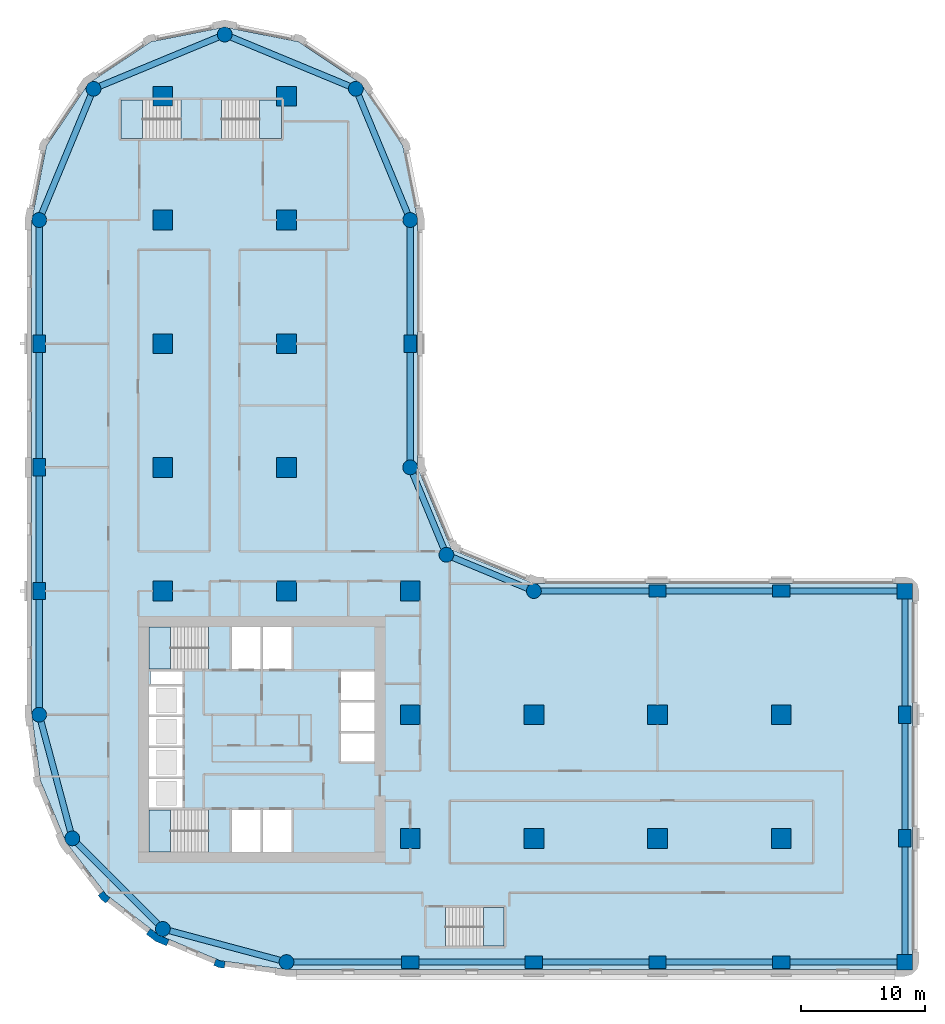
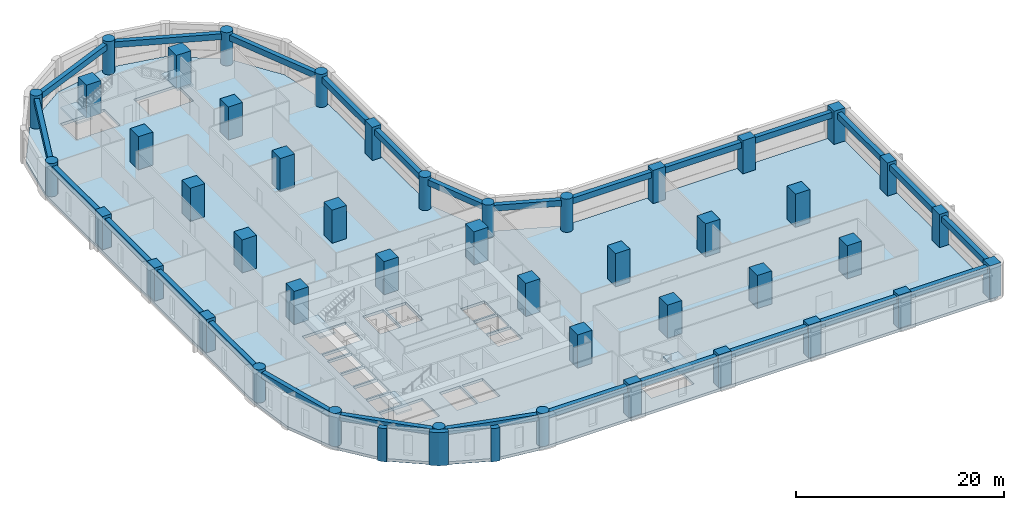
# One storey, part 1 of 10: 45 columns, 26 beams, 6 slabs, 3 walls, 5 elements without a shape of their own.
"""IFC4 building model written with IfcOpenShell, lengths in metres."""

from ifc_helpers import new_model, si_unit, direction, frame, origin, origin_2d, place, context, subcontext, project, spatial, polyline, rectangle, circle, outline, extrude, material, layer, layer_set, material_profile, profile_set, type_object, element, aggregate, save


model = new_model("IFC4")

# Units and contexts
model_context = context("Model", 3, precision=1e-05, world=origin(), true_north=direction((0.0, 1.0)))
body_context = subcontext(model_context, "Body", "Model", "MODEL_VIEW")
ifc_project = project(units=[si_unit("LENGTHUNIT", "METRE"), si_unit("AREAUNIT", "SQUARE_METRE"), si_unit("VOLUMEUNIT", "CUBIC_METRE"), si_unit("PLANEANGLEUNIT", "RADIAN"), si_unit("MASSUNIT", "GRAM", prefix="KILO")], contexts=[model_context])

# Site, building, storey
site_placement = place(None, origin())
site = spatial("IfcSite", under=ifc_project, at=site_placement, CompositionType="ELEMENT")
building_placement = place(site_placement, origin())
building = spatial("IfcBuilding", under=site, at=building_placement, Name="Qaws Garden Tower", CompositionType="ELEMENT")
storey_placement = place(building_placement, frame((0.0, 0.0, 58.800048828125)))
storey = spatial("IfcBuildingStorey", under=building, at=storey_placement, Name="L14", CompositionType="ELEMENT", Elevation=58.800048828125)

# Columns
ifc_material_1 = material(Name="Concrete C80", Category="concrete")
ifc_material_profile_1 = material_profile(ifc_material_1, rectangle(XDim=1.25, YDim=1.25, at=origin_2d()), Name="RC 1250x1250")
ifc_profile_set_1 = profile_set([ifc_material_profile_1], Name="Concrete C80")
column_type_1 = type_object("IfcColumnType", Name="Column RC 1250x1250 C80", PredefinedType="COLUMN", material=ifc_profile_set_1)
for number, where, z_axis, x_axis, name in (
    (1, (70.0, 0.0, 0.0), (0.0, 0.0, 1.0), (1.0, 0.0, 0.0), "Column L14-006"),
    (2, (70.0, 30.0, 0.0), (0.0, 0.0, 1.0), (1.0, 0.0, 0.0), "Column L14-009"),
):
    element("IfcColumn", number, at=place(storey_placement, frame(where, z_axis=z_axis, x_axis=x_axis)), inside=storey, type_object=column_type_1, Name=name, PredefinedType="COLUMN", context=body_context, shape_type="SweptSolid", body=[
        extrude(rectangle(XDim=1.25, YDim=1.25, at=origin_2d()), origin(), (0.0, 0.0, 1.0), 3.89990234375),
    ])
ifc_material_2 = material(Name="Concrete C80", Category="concrete")
ifc_material_profile_2 = material_profile(ifc_material_2, rectangle(XDim=1.39990234375, YDim=1.0, at=origin_2d()), Name="RC 1400x1000")
ifc_profile_set_2 = profile_set([ifc_material_profile_2], Name="Concrete C80")
column_type_2 = type_object("IfcColumnType", Name="Column RC 1400x1000 C80", PredefinedType="COLUMN", material=ifc_profile_set_2)
for number, where, z_axis, x_axis, name in (
    (3, (30.0, 0.0, 0.0), (0.0, 0.0, 1.0), (1.0, 0.0, 0.0), "Column L14-002"),
    (4, (40.0, 0.0, 0.0), (0.0, 0.0, 1.0), (1.0, 0.0, 0.0), "Column L14-003"),
    (5, (50.0, 0.0, 0.0), (0.0, 0.0, 1.0), (1.0, 0.0, 0.0), "Column L14-004"),
    (6, (60.0, 0.0, 0.0), (0.0, 0.0, 1.0), (1.0, 0.0, 0.0), "Column L14-005"),
    (7, (70.0, 10.0, 0.0), (0.0, 0.0, 1.0), (0.0, 1.0, 0.0), "Column L14-007"),
    (8, (70.0, 20.0, 0.0), (0.0, 0.0, 1.0), (0.0, 1.0, 0.0), "Column L14-008"),
    (9, (60.0, 30.0, 0.0), (0.0, 0.0, 1.0), (1.0, 0.0, 0.0), "Column L14-010"),
    (10, (50.0, 30.0, 0.0), (0.0, 0.0, 1.0), (1.0, 0.0, 0.0), "Column L14-011"),
    (11, (30.0, 50.0, 0.0), (0.0, 0.0, 1.0), (0.0, 1.0, 0.0), "Column L14-015"),
    (12, (0.0, 50.0, 0.0), (0.0, 0.0, 1.0), (0.0, 1.0, 0.0), "Column L14-021"),
    (13, (0.0, 40.0, 0.0), (0.0, 0.0, 1.0), (0.0, 1.0, 0.0), "Column L14-022"),
    (14, (0.0, 30.0, 0.0), (0.0, 0.0, 1.0), (0.0, 1.0, 0.0), "Column L14-023"),
):
    element("IfcColumn", number, at=place(storey_placement, frame(where, z_axis=z_axis, x_axis=x_axis)), inside=storey, type_object=column_type_2, Name=name, PredefinedType="COLUMN", context=body_context, shape_type="SweptSolid", body=[
        extrude(rectangle(XDim=1.39990234375, YDim=1.0, at=origin_2d()), origin(), (0.0, 0.0, 1.0), 3.89990234375),
    ])
ifc_material_3 = material(Name="Concrete C80", Category="concrete")
ifc_material_profile_3 = material_profile(ifc_material_3, rectangle(XDim=1.60009765625, YDim=1.60009765625, at=origin_2d()), Name="RC 1600x1600")
ifc_profile_set_3 = profile_set([ifc_material_profile_3], Name="Concrete C80")
column_type_3 = type_object("IfcColumnType", Name="Column RC 1600x1600 C80", PredefinedType="COLUMN", material=ifc_profile_set_3)
for number, where, z_axis, x_axis, name in (
    (15, (10.0, 30.0, 0.0), (0.0, 0.0, 1.0), (1.0, 0.0, 0.0), "Column L14-027"),
    (16, (10.0, 40.0, 0.0), (0.0, 0.0, 1.0), (1.0, 0.0, 0.0), "Column L14-028"),
    (17, (10.0, 50.0, 0.0), (0.0, 0.0, 1.0), (1.0, 0.0, 0.0), "Column L14-029"),
    (18, (10.0, 60.0, 0.0), (0.0, 0.0, 1.0), (1.0, 0.0, 0.0), "Column L14-030"),
    (19, (10.0, 70.0, 0.0), (0.0, 0.0, 1.0), (1.0, 0.0, 0.0), "Column L14-031"),
    (20, (20.0, 30.0, 0.0), (0.0, 0.0, 1.0), (1.0, 0.0, 0.0), "Column L14-032"),
    (21, (20.0, 40.0, 0.0), (0.0, 0.0, 1.0), (1.0, 0.0, 0.0), "Column L14-033"),
    (22, (20.0, 50.0, 0.0), (0.0, 0.0, 1.0), (1.0, 0.0, 0.0), "Column L14-034"),
    (23, (20.0, 60.0, 0.0), (0.0, 0.0, 1.0), (1.0, 0.0, 0.0), "Column L14-035"),
    (24, (20.0, 70.0, 0.0), (0.0, 0.0, 1.0), (1.0, 0.0, 0.0), "Column L14-036"),
    (25, (30.0, 10.0, 0.0), (0.0, 0.0, 1.0), (1.0, 0.0, 0.0), "Column L14-037"),
    (26, (30.0, 20.0, 0.0), (0.0, 0.0, 1.0), (1.0, 0.0, 0.0), "Column L14-038"),
    (27, (30.0, 30.0, 0.0), (0.0, 0.0, 1.0), (1.0, 0.0, 0.0), "Column L14-039"),
    (28, (40.0, 10.0, 0.0), (0.0, 0.0, 1.0), (1.0, 0.0, 0.0), "Column L14-040"),
    (29, (40.0, 20.0, 0.0), (0.0, 0.0, 1.0), (1.0, 0.0, 0.0), "Column L14-041"),
    (30, (50.0, 10.0, 0.0), (0.0, 0.0, 1.0), (1.0, 0.0, 0.0), "Column L14-042"),
    (31, (50.0, 20.0, 0.0), (0.0, 0.0, 1.0), (1.0, 0.0, 0.0), "Column L14-043"),
    (32, (60.0, 10.0, 0.0), (0.0, 0.0, 1.0), (1.0, 0.0, 0.0), "Column L14-044"),
    (33, (60.0, 20.0, 0.0), (0.0, 0.0, 1.0), (1.0, 0.0, 0.0), "Column L14-045"),
):
    element("IfcColumn", number, at=place(storey_placement, frame(where, z_axis=z_axis, x_axis=x_axis)), inside=storey, type_object=column_type_3, Name=name, PredefinedType="COLUMN", context=body_context, shape_type="SweptSolid", body=[
        extrude(rectangle(XDim=1.60009765625, YDim=1.60009765625, at=origin_2d()), origin(), (0.0, 0.0, 1.0), 3.89990234375),
    ])
ifc_material_4 = material(Name="Concrete C80", Category="concrete")
ifc_material_profile_4 = material_profile(ifc_material_4, circle(Radius=0.60009765625, at=origin_2d()), Name="RC D1200")
ifc_profile_set_4 = profile_set([ifc_material_profile_4], Name="Concrete C80")
column_type_4 = type_object("IfcColumnType", Name="Column RC D1200 C80", PredefinedType="COLUMN", material=ifc_profile_set_4)
for number, where, z_axis, x_axis, name in (
    (34, (20.0, 0.0, 0.0), (0.0, 0.0, 1.0), (1.0, 0.0, 0.0), "Column L14-001"),
    (35, (40.0, 30.0, 0.0), (0.0, 0.0, 1.0), (1.0, 0.0, 0.0), "Column L14-012"),
    (36, (32.928955078125, 32.928955078125, 0.0), (0.0, 0.0, 1.0), (1.0, 0.0, 0.0), "Column L14-013"),
    (37, (30.0, 40.0, 0.0), (0.0, 0.0, 1.0), (1.0, 0.0, 0.0), "Column L14-014"),
    (38, (30.0, 60.0, 0.0), (0.0, 0.0, 1.0), (1.0, 0.0, 0.0), "Column L14-016"),
    (39, (25.606689453125, 70.606689453125, 0.0), (0.0, 0.0, 1.0), (1.0, 0.0, 0.0), "Column L14-017"),
    (40, (15.0, 75.0, 0.0), (0.0, 0.0, 1.0), (1.0, 0.0, 0.0), "Column L14-018"),
    (41, (4.393310546875, 70.606689453125, 0.0), (0.0, 0.0, 1.0), (1.0, 0.0, 0.0), "Column L14-019"),
    (42, (0.0, 60.0, 0.0), (0.0, 0.0, 1.0), (1.0, 0.0, 0.0), "Column L14-020"),
    (43, (0.0, 20.0, 0.0), (0.0, 0.0, 1.0), (1.0, 0.0, 0.0), "Column L14-024"),
    (44, (2.679443359375, 10.0, 0.0), (0.0, 0.0, 1.0), (1.0, 0.0, 0.0), "Column L14-025"),
    (45, (10.0, 2.679443359375, 0.0), (0.0, 0.0, 1.0), (1.0, 0.0, 0.0), "Column L14-026"),
):
    element("IfcColumn", number, at=place(storey_placement, frame(where, z_axis=z_axis, x_axis=x_axis)), inside=storey, type_object=column_type_4, Name=name, PredefinedType="COLUMN", context=body_context, shape_type="SweptSolid", body=[
        extrude(circle(Radius=0.60009765625, at=origin_2d()), origin(), (0.0, 0.0, 1.0), 3.89990234375),
    ])

# Beams
ifc_material_5 = material(Name="Concrete C45", Category="concrete")
ifc_material_profile_5 = material_profile(ifc_material_5, rectangle(XDim=0.5, YDim=0.699951171875, at=origin_2d()), Name="RC 500x700")
ifc_profile_set_5 = profile_set([ifc_material_profile_5], Name="Concrete C45")
beam_type = type_object("IfcBeamType", Name="Spandrel beam RC 500x700 C45", PredefinedType="SPANDREL", material=ifc_profile_set_5)
for number, where, z_axis, x_axis, name in (
    (46, (20.0, 0.0, 3.22998046875), (1.0, 0.0, 0.0), (0.0, 1.0, 0.0), "Spandrel beam L14-001"),
    (47, (30.0, 0.0, 3.22998046875), (1.0, 0.0, 0.0), (0.0, 1.0, 0.0), "Spandrel beam L14-002"),
    (48, (40.0, 0.0, 3.22998046875), (1.0, 0.0, 0.0), (0.0, 1.0, 0.0), "Spandrel beam L14-003"),
    (49, (50.0, 0.0, 3.22998046875), (1.0, 0.0, 0.0), (0.0, 1.0, 0.0), "Spandrel beam L14-004"),
    (50, (60.0, 0.0, 3.22998046875), (1.0, 0.0, 0.0), (0.0, 1.0, 0.0), "Spandrel beam L14-005"),
    (51, (70.0, 0.0, 3.22998046875), (0.0, 1.0, 0.0), (-1.0, 0.0, 0.0), "Spandrel beam L14-006"),
    (52, (70.0, 10.0, 3.22998046875), (0.0, 1.0, 0.0), (-1.0, 0.0, 0.0), "Spandrel beam L14-007"),
    (53, (70.0, 20.0, 3.22998046875), (0.0, 1.0, 0.0), (-1.0, 0.0, 0.0), "Spandrel beam L14-008"),
    (54, (70.0, 30.0, 3.22998046875), (-1.0, 0.0, 0.0), (0.0, -1.0, 0.0), "Spandrel beam L14-009"),
    (55, (60.0, 30.0, 3.22998046875), (-1.0, 0.0, 0.0), (0.0, -1.0, 0.0), "Spandrel beam L14-010"),
    (56, (50.0, 30.0, 3.22998046875), (-1.0, 0.0, 0.0), (0.0, -1.0, 0.0), "Spandrel beam L14-011"),
):
    element("IfcBeam", number, at=place(storey_placement, frame(where, z_axis=z_axis, x_axis=x_axis)), inside=storey, type_object=beam_type, Name=name, PredefinedType="SPANDREL", context=body_context, shape_type="SweptSolid", body=[
        extrude(rectangle(XDim=0.5, YDim=0.699951171875, at=origin_2d()), origin(), (0.0, 0.0, 1.0), 10.0),
    ])
for number, where, z_axis, x_axis, name in (
    (57, (40.0, 30.0, 3.22998046875), (-0.923878037141, 0.382687042488, 0.0), (-0.382687042488, -0.923878037141, 0.0), "Spandrel beam L14-012"),
    (58, (32.928955078125, 32.928955078125, 3.22998046875), (-0.382687042488, 0.923878037141, 0.0), (-0.923878037141, -0.382687042488, 0.0), "Spandrel beam L14-013"),
):
    element("IfcBeam", number, at=place(storey_placement, frame(where, z_axis=z_axis, x_axis=x_axis)), inside=storey, type_object=beam_type, Name=name, PredefinedType="SPANDREL", context=body_context, shape_type="SweptSolid", body=[
        extrude(rectangle(XDim=0.5, YDim=0.699951171875, at=origin_2d()), origin(), (0.0, 0.0, 1.0), 7.653564453125),
    ])
for number, where, z_axis, x_axis, name in (
    (59, (30.0, 40.0, 3.22998046875), (0.0, 1.0, 0.0), (-1.0, 0.0, 0.0), "Spandrel beam L14-014"),
    (60, (30.0, 50.0, 3.22998046875), (0.0, 1.0, 0.0), (-1.0, 0.0, 0.0), "Spandrel beam L14-015"),
):
    element("IfcBeam", number, at=place(storey_placement, frame(where, z_axis=z_axis, x_axis=x_axis)), inside=storey, type_object=beam_type, Name=name, PredefinedType="SPANDREL", context=body_context, shape_type="SweptSolid", body=[
        extrude(rectangle(XDim=0.5, YDim=0.699951171875, at=origin_2d()), origin(), (0.0, 0.0, 1.0), 10.0),
    ])
for number, where, z_axis, x_axis, name in (
    (61, (30.0, 60.0, 3.22998046875), (-0.382674207535, 0.923883353507, 0.0), (-0.923883353507, -0.382674207535, 0.0), "Spandrel beam L14-016"),
    (62, (25.606689453125, 70.606689453125, 3.22998046875), (-0.923883353507, 0.382674207535, 0.0), (-0.382674207535, -0.923883353507, 0.0), "Spandrel beam L14-017"),
    (63, (15.0, 75.0, 3.22998046875), (-0.923883353507, -0.382674207535, 0.0), (0.382674207535, -0.923883353507, 0.0), "Spandrel beam L14-018"),
    (64, (4.393310546875, 70.606689453125, 3.22998046875), (-0.382674207535, -0.923883353507, 0.0), (0.923883353507, -0.382674207535, 0.0), "Spandrel beam L14-019"),
):
    element("IfcBeam", number, at=place(storey_placement, frame(where, z_axis=z_axis, x_axis=x_axis)), inside=storey, type_object=beam_type, Name=name, PredefinedType="SPANDREL", context=body_context, shape_type="SweptSolid", body=[
        extrude(rectangle(XDim=0.5, YDim=0.699951171875, at=origin_2d()), origin(), (0.0, 0.0, 1.0), 11.48046875),
    ])
for number, where, z_axis, x_axis, name in (
    (65, (0.0, 60.0, 3.22998046875), (0.0, -1.0, 0.0), (1.0, 0.0, 0.0), "Spandrel beam L14-020"),
    (66, (0.0, 50.0, 3.22998046875), (0.0, -1.0, 0.0), (1.0, 0.0, 0.0), "Spandrel beam L14-021"),
    (67, (0.0, 40.0, 3.22998046875), (0.0, -1.0, 0.0), (1.0, 0.0, 0.0), "Spandrel beam L14-022"),
    (68, (0.0, 30.0, 3.22998046875), (0.0, -1.0, 0.0), (1.0, 0.0, 0.0), "Spandrel beam L14-023"),
):
    element("IfcBeam", number, at=place(storey_placement, frame(where, z_axis=z_axis, x_axis=x_axis)), inside=storey, type_object=beam_type, Name=name, PredefinedType="SPANDREL", context=body_context, shape_type="SweptSolid", body=[
        extrude(rectangle(XDim=0.5, YDim=0.699951171875, at=origin_2d()), origin(), (0.0, 0.0, 1.0), 10.0),
    ])
for number, where, z_axis, x_axis, name in (
    (69, (0.0, 20.0, 3.22998046875), (0.25881466832, -0.965926999034, 0.0), (0.965926999034, 0.25881466832, 0.0), "Spandrel beam L14-024"),
    (70, (2.679443359375, 10.0, 3.22998046875), (0.707106781187, -0.707106781187, 0.0), (0.707106781187, 0.707106781187, 0.0), "Spandrel beam L14-025"),
    (71, (10.0, 2.679443359375, 3.22998046875), (0.965926999034, -0.25881466832, 0.0), (0.25881466832, 0.965926999034, 0.0), "Spandrel beam L14-026"),
):
    element("IfcBeam", number, at=place(storey_placement, frame(where, z_axis=z_axis, x_axis=x_axis)), inside=storey, type_object=beam_type, Name=name, PredefinedType="SPANDREL", context=body_context, shape_type="SweptSolid", body=[
        extrude(rectangle(XDim=0.5, YDim=0.699951171875, at=origin_2d()), origin(), (0.0, 0.0, 1.0), 10.352783203125),
    ])

# Slab
ifc_material_6 = material(Name="Concrete C40", Category="concrete")
ifc_layer_1 = layer(ifc_material_6, 0.320068359375)
ifc_layer_set_1 = layer_set([ifc_layer_1], Name="Concrete C40")
slab_type_1 = type_object("IfcSlabType", Name="Floor slab 320 C40", PredefinedType="FLOOR", material=ifc_layer_set_1)
slab_1_placement = place(storey_placement, frame((0.0, 0.0, -0.320068359375)))
element("IfcSlab", 72, at=slab_1_placement, inside=storey, type_object=slab_type_1, Name="Floor slab L14", PredefinedType="FLOOR", context=body_context, shape_type="SweptSolid", body=[
    extrude(outline(polyline([(0.101806640625, 14.668212890625), (-0.60009765625, 20.0), (-0.60009765625, 30.60009765625), (-0.60009765625, 60.0), (-0.60009765625, 60.0), (0.58740234375, 65.969970703125), (3.968994140625, 71.031005859375), (9.030029296875, 74.41259765625), (15.0, 75.60009765625), (20.969970703125, 74.41259765625), (26.031005859375, 71.031005859375), (29.41259765625, 65.969970703125), (30.60009765625, 60.0), (30.60009765625, 40.0), (33.353271484375, 33.353271484375), (40.0, 30.60009765625), (70.0, 30.60009765625), (70.42431640625, 30.42431640625), (70.60009765625, 30.0), (70.60009765625, 0.0), (70.42431640625, -0.42431640625), (70.0, -0.60009765625), (30.60009765625, -0.60009765625), (20.0, -0.60009765625), (14.668212890625, 0.101806640625), (9.699951171875, 2.159912109375), (5.43359375, 5.43359375), (2.159912109375, 9.699951171875), (0.101806640625, 14.668212890625)]), holes=[polyline([(13.699462890625, 12.300048828125), (8.89990234375, 12.300048828125), (8.89990234375, 8.89990234375), (13.699462890625, 8.89990234375), (13.699462890625, 12.300048828125)]), polyline([(17.89990234375, 12.300048828125), (15.60009765625, 12.300048828125), (15.60009765625, 8.89990234375), (17.89990234375, 8.89990234375), (17.89990234375, 12.300048828125)]), polyline([(11.60009765625, 14.800048828125), (8.89990234375, 14.800048828125), (8.89990234375, 12.5), (11.60009765625, 12.5), (11.60009765625, 14.800048828125)]), polyline([(11.60009765625, 17.300048828125), (8.89990234375, 17.300048828125), (8.89990234375, 15.0), (11.60009765625, 15.0), (11.60009765625, 17.300048828125)]), polyline([(11.60009765625, 19.800048828125), (8.89990234375, 19.800048828125), (8.89990234375, 17.5), (11.60009765625, 17.5), (11.60009765625, 19.800048828125)]), polyline([(11.60009765625, 22.300048828125), (8.89990234375, 22.300048828125), (8.89990234375, 20.0), (11.60009765625, 20.0), (11.60009765625, 22.300048828125)]), polyline([(11.60009765625, 23.5), (9.0, 23.5), (9.0, 22.5), (11.60009765625, 22.5), (11.60009765625, 23.5)]), polyline([(13.699462890625, 27.10009765625), (8.89990234375, 27.10009765625), (8.89990234375, 23.699951171875), (13.699462890625, 23.699951171875), (13.699462890625, 27.10009765625)]), polyline([(11.449462890625, 69.699951171875), (6.60009765625, 69.699951171875), (6.60009765625, 66.60009765625), (11.449462890625, 66.60009765625), (11.449462890625, 69.699951171875)]), polyline([(37.60009765625, 4.39990234375), (32.8505859375, 4.39990234375), (32.8505859375, 1.300048828125), (37.60009765625, 1.300048828125), (37.60009765625, 4.39990234375)]), polyline([(20.39990234375, 12.300048828125), (18.10009765625, 12.300048828125), (18.10009765625, 8.89990234375), (20.39990234375, 8.89990234375), (20.39990234375, 12.300048828125)]), polyline([(27.10009765625, 18.5), (24.39990234375, 18.5), (24.39990234375, 16.199951171875), (27.10009765625, 16.199951171875), (27.10009765625, 18.5)]), polyline([(27.10009765625, 21.0), (24.39990234375, 21.0), (24.39990234375, 18.699951171875), (27.10009765625, 18.699951171875), (27.10009765625, 21.0)]), polyline([(27.10009765625, 23.5), (24.39990234375, 23.5), (24.39990234375, 21.199951171875), (27.10009765625, 21.199951171875), (27.10009765625, 23.5)]), polyline([(17.89990234375, 27.10009765625), (15.60009765625, 27.10009765625), (15.60009765625, 23.699951171875), (17.89990234375, 23.699951171875), (17.89990234375, 27.10009765625)]), polyline([(20.39990234375, 23.699951171875), (20.39990234375, 27.10009765625), (18.10009765625, 27.10009765625), (18.10009765625, 23.699951171875), (20.39990234375, 23.699951171875)]), polyline([(19.60009765625, 66.60009765625), (19.60009765625, 69.699951171875), (14.75048828125, 69.699951171875), (14.75048828125, 66.60009765625), (19.60009765625, 66.60009765625)])]), origin(), (0.0, 0.0, 1.0), 0.320068359375),
])

# Stair, slab
ifc_material_7 = material(Name="Concrete C40", Category="concrete")
stair_type_1 = type_object("IfcStairType", Name="Exit stair 1500", PredefinedType="HALF_TURN_STAIR", material=ifc_material_7)
placement_1 = place(storey_placement, origin())
stair_1 = element("IfcStair", 73, at=placement_1, inside=storey, type_object=stair_type_1, Name="Stair 1", PredefinedType="HALF_TURN_STAIR")
ifc_material_8 = material(Name="Concrete C40", Category="concrete")
ifc_layer_2 = layer(ifc_material_8, 0.199951171875)
ifc_layer_set_2 = layer_set([ifc_layer_2], Name="Concrete C40")
slab_type_2 = type_object("IfcSlabType", Name="Stair landing 200", PredefinedType="LANDING", material=ifc_layer_set_2)
placement_2 = place(storey_placement, frame((0.0, 0.0, 1.75)))
slab_2 = element("IfcSlab", 74, at=placement_2, type_object=slab_type_2, Name="ST1 landing 1", PredefinedType="LANDING", context=body_context, shape_type="SweptSolid", body=[
    extrude(outline(polyline([(8.89990234375, 8.89990234375), (10.6201171875, 8.89990234375), (10.6201171875, 12.300048828125), (8.89990234375, 12.300048828125), (8.89990234375, 8.89990234375)])), origin(), (0.0, 0.0, 1.0), 0.199951171875),
])
aggregate(stair_1, [slab_2])

stair_2 = element("IfcStair", 75, at=placement_1, inside=storey, type_object=stair_type_1, Name="Stair 4", PredefinedType="HALF_TURN_STAIR")
slab_3 = element("IfcSlab", 76, at=placement_2, type_object=slab_type_2, Name="ST4 landing 1", PredefinedType="LANDING", context=body_context, shape_type="SweptSolid", body=[
    extrude(outline(polyline([(8.89990234375, 23.699951171875), (10.6201171875, 23.699951171875), (10.6201171875, 27.10009765625), (8.89990234375, 27.10009765625), (8.89990234375, 23.699951171875)])), origin(), (0.0, 0.0, 1.0), 0.199951171875),
])
aggregate(stair_2, [slab_3])

ifc_material_9 = material(Name="Concrete C40", Category="concrete")
stair_type_2 = type_object("IfcStairType", Name="Exit stair 1350", PredefinedType="HALF_TURN_STAIR", material=ifc_material_9)
stair_3 = element("IfcStair", 77, at=placement_1, inside=storey, type_object=stair_type_2, Name="Stair 5", PredefinedType="HALF_TURN_STAIR")
slab_4 = element("IfcSlab", 78, at=placement_2, type_object=slab_type_2, Name="ST5 landing 1", PredefinedType="LANDING", context=body_context, shape_type="SweptSolid", body=[
    extrude(outline(polyline([(35.929931640625, 1.300048828125), (37.60009765625, 1.300048828125), (37.60009765625, 4.39990234375), (35.929931640625, 4.39990234375), (35.929931640625, 1.300048828125)])), origin(), (0.0, 0.0, 1.0), 0.199951171875),
])
aggregate(stair_3, [slab_4])

stair_4 = element("IfcStair", 79, at=placement_1, inside=storey, type_object=stair_type_2, Name="Stair 6", PredefinedType="HALF_TURN_STAIR")
slab_5 = element("IfcSlab", 80, at=placement_2, type_object=slab_type_2, Name="ST6 landing 1", PredefinedType="LANDING", context=body_context, shape_type="SweptSolid", body=[
    extrude(outline(polyline([(6.60009765625, 66.60009765625), (8.3701171875, 66.60009765625), (8.3701171875, 69.699951171875), (6.60009765625, 69.699951171875), (6.60009765625, 66.60009765625)])), origin(), (0.0, 0.0, 1.0), 0.199951171875),
])
aggregate(stair_4, [slab_5])

stair_5 = element("IfcStair", 81, at=placement_1, inside=storey, type_object=stair_type_2, Name="Stair 7", PredefinedType="HALF_TURN_STAIR")
slab_6 = element("IfcSlab", 82, at=placement_2, type_object=slab_type_2, Name="ST7 landing 1", PredefinedType="LANDING", context=body_context, shape_type="SweptSolid", body=[
    extrude(outline(polyline([(17.830078125, 66.60009765625), (19.60009765625, 66.60009765625), (19.60009765625, 69.699951171875), (17.830078125, 69.699951171875), (17.830078125, 66.60009765625)])), origin(), (0.0, 0.0, 1.0), 0.199951171875),
])
aggregate(stair_5, [slab_6])

# Walls
ifc_material_10 = material(Name="Clay facing brick masonry", Category="masonry")
ifc_layer_3 = layer(ifc_material_10, 0.550048828125)
ifc_layer_set_3 = layer_set([ifc_layer_3], Name="Clay facing brick masonry")
wall_type_1 = type_object("IfcWallType", Name="Brick kink pier 550 x 600", PredefinedType="SOLIDWALL", material=ifc_layer_set_3)
element("IfcWall", 83, at=placement_1, inside=storey, type_object=wall_type_1, Name="E-L14-pier-30", PredefinedType="SOLIDWALL", context=body_context, shape_type="SweptSolid", body=[
    extrude(outline(polyline([(4.8818359375, 5.487060546875), (4.762939453125, 5.395751953125), (5.03759765625, 5.03759765625), (5.395751953125, 4.762939453125), (5.487060546875, 4.8818359375), (5.730712890625, 5.19921875), (5.429931640625, 5.429931640625), (5.19921875, 5.730712890625), (4.8818359375, 5.487060546875)])), origin(), (0.0, 0.0, 1.0), 3.89990234375),
])
element("IfcWall", 84, at=placement_1, inside=storey, type_object=wall_type_1, Name="E-L14-pier-32", PredefinedType="SOLIDWALL", context=body_context, shape_type="SweptSolid", body=[
    extrude(outline(polyline([(14.163818359375, -0.127685546875), (14.1064453125, -0.26611328125), (14.5234375, -0.43896484375), (14.970947265625, -0.497802734375), (14.990478515625, -0.34912109375), (15.042724609375, 0.04736328125), (14.6669921875, 0.096923828125), (14.31689453125, 0.241943359375), (14.163818359375, -0.127685546875)])), origin(), (0.0, 0.0, 1.0), 3.89990234375),
])
ifc_material_11 = material(Name="Clay facing brick masonry", Category="masonry")
ifc_layer_4 = layer(ifc_material_11, 0.550048828125)
ifc_layer_set_4 = layer_set([ifc_layer_4], Name="Clay facing brick masonry")
wall_type_2 = type_object("IfcWallType", Name="Brick pier 550 x 1600", PredefinedType="SOLIDWALL", material=ifc_layer_set_4)
element("IfcWall", 85, at=placement_1, inside=storey, type_object=wall_type_2, Name="E-L14-pier-31", PredefinedType="SOLIDWALL", context=body_context, shape_type="SweptSolid", body=[
    extrude(outline(polyline([(8.756591796875, 2.373046875), (8.665283203125, 2.254150390625), (9.419921875, 1.675048828125), (10.299072265625, 1.310791015625), (10.3564453125, 1.449462890625), (10.509521484375, 1.819091796875), (9.697509765625, 2.1552734375), (9.0, 2.6904296875), (8.756591796875, 2.373046875)])), origin(), (0.0, 0.0, 1.0), 3.89990234375),
])

save(model, "model.ifc")
